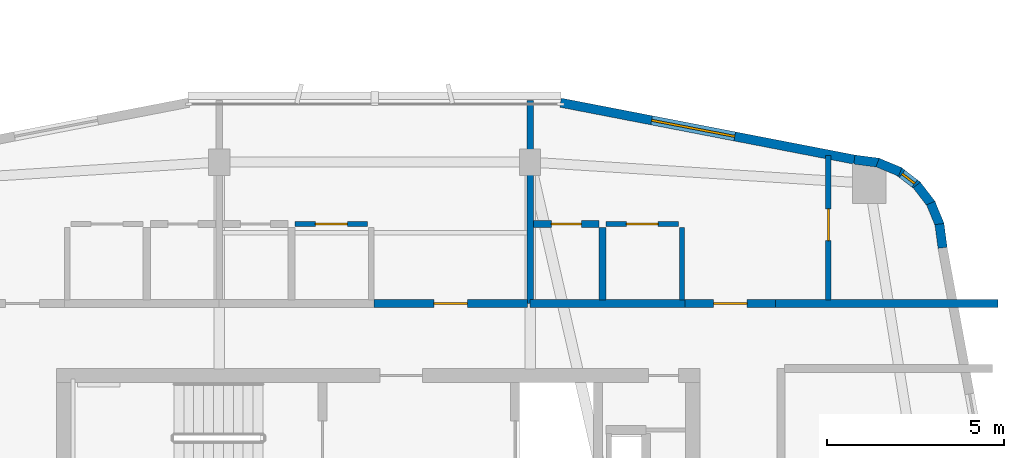
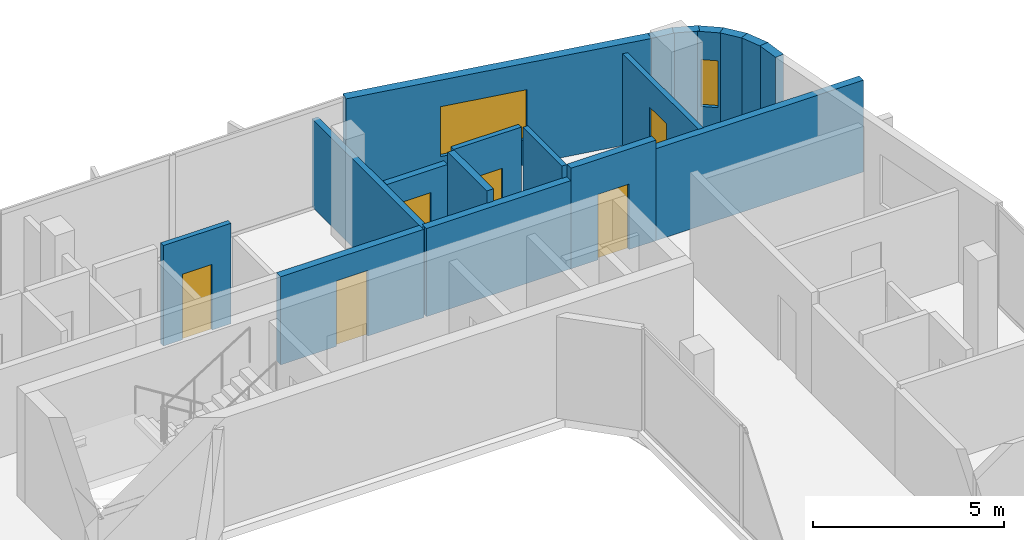
# One storey, part 20 of 26: 18 walls, 6 doors, 2 windows, 8 openings.
"""IFC4 building model written with IfcOpenShell, lengths in metres."""

from ifc_helpers import new_model, si_unit, derived_unit, direction, frame, frame_2d, origin, place, context, subcontext, project, spatial, rectangle, extrude, material, layer, layer_set, type_object, element, fill, save


model = new_model("IFC4")

# Units and contexts
model_context = context("Model", 3, precision=1e-05, world=origin(), true_north=direction((0.0, 1.0)))
body_context = subcontext(model_context, "Body", "Model", "MODEL_VIEW")
ifc_project = project(units=[si_unit("LENGTHUNIT", "METRE"), si_unit("AREAUNIT", "SQUARE_METRE"), si_unit("VOLUMEUNIT", "CUBIC_METRE"), si_unit("PLANEANGLEUNIT", "RADIAN"), si_unit("MASSUNIT", "GRAM", prefix="KILO"), derived_unit("THERMALTRANSMITTANCEUNIT", [(si_unit("POWERUNIT", "WATT"), 1), (si_unit("LENGTHUNIT", "METRE"), -2), (si_unit("THERMODYNAMICTEMPERATUREUNIT", "KELVIN"), -1)])], contexts=[model_context])

# Site, building, storey
site_placement = place(None, origin())
site = spatial("IfcSite", under=ifc_project, at=site_placement, CompositionType="ELEMENT")
building_placement = place(site_placement, origin())
building = spatial("IfcBuilding", under=site, at=building_placement, Name="Kivonza Crest Hotel", CompositionType="ELEMENT")
storey_placement = place(building_placement, frame((0.0, 0.0, 102.0)))
storey = spatial("IfcBuildingStorey", under=building, at=storey_placement, Name="L27", CompositionType="ELEMENT", Elevation=102.0)

# Wall
ifc_material_1 = material(Name="High-density acoustic masonry inter-tenancy wall", Category="masonry")
ifc_layer_1 = layer(ifc_material_1, 0.179931640625)
ifc_layer_set_1 = layer_set([ifc_layer_1], Name="High-density acoustic masonry inter-tenancy wall")
wall_type_1 = type_object("IfcWallType", Name="WL-ACOU-180", PredefinedType="SOLIDWALL", material=ifc_layer_set_1)
wall_1_placement = place(storey_placement, frame((81.39990234375, 37.60009765625, 0.0), z_axis=(0.0, 0.0, 1.0), x_axis=(0.0, 1.0, 0.0)))
element("IfcWall", 1, at=wall_1_placement, inside=storey, type_object=wall_type_1, Name="L27 interior partition WA-L27-T2N-DIV2", PredefinedType="SOLIDWALL", context=body_context, shape_type="SweptSolid", body=[
    extrude(rectangle(XDim=5.739990234375, YDim=0.179931640625, at=frame_2d((2.8701171875, 0.0))), origin(), (0.0, 0.0, 1.0), 2.824951171875),
])

# Wall, opening, door
ifc_material_2 = material(Name="Autoclaved aerated concrete blockwork", Category="masonry")
ifc_layer_2 = layer(ifc_material_2, 0.219970703125)
ifc_layer_set_2 = layer_set([ifc_layer_2], Name="Autoclaved aerated concrete blockwork")
wall_type_2 = type_object("IfcWallType", Name="WL-ACOU-220", PredefinedType="SOLIDWALL", material=ifc_layer_set_2)
wall_2_placement = place(storey_placement, frame((76.97998046875, 37.60009765625, 0.0), z_axis=(0.0, 0.0, 1.0), x_axis=(1.0, 0.0, 0.0)))
wall_2 = element("IfcWall", 2, at=wall_2_placement, inside=storey, type_object=wall_type_2, Name="L27 interior partition WA-L27-A02-MCORR", PredefinedType="SOLIDWALL", context=body_context, shape_type="SweptSolid", body=[
    extrude(rectangle(XDim=4.340087890625, YDim=0.219970703125, at=frame_2d((2.169921875, 0.0))), origin(), (0.0, 0.0, 1.0), 2.824951171875),
])
opening_1_placement = place(wall_2_placement, frame((1.695068359375, 0.0, 0.0)))
opening_1 = element("IfcOpeningElement", 3, at=opening_1_placement, cuts=wall_2, Name="Opening DU-60", PredefinedType="OPENING", context=body_context, shape_type="SweptSolid", body=[
    extrude(rectangle(XDim=0.949951171875, YDim=2.10009765625, at=frame_2d((0.47509765625, 1.050048828125))), frame((0.0, 0.1201171875, 0.0), z_axis=(0.0, -1.0, 0.0), x_axis=(1.0, 0.0, 0.0)), (0.0, 0.0, 1.0), 0.239990234375),
])
ifc_material_3 = material(Name="Hardwood timber oak", Category="wood")
door_type_1 = type_object("IfcDoorType", Name="DR-UNIT-950", OperationType="NOTDEFINED", PredefinedType="DOOR", material=ifc_material_3)
door_1_placement = place(opening_1_placement, origin())
door_1 = element("IfcDoor", 4, at=door_1_placement, inside=storey, type_object=door_type_1, Name="L27 A02 apartment entrance fire door", OperationType="SINGLE_SWING_RIGHT", OverallHeight=2.10009765625, OverallWidth=0.949951171875, PredefinedType="DOOR", context=body_context, shape_type="SweptSolid", body=[
    extrude(rectangle(XDim=0.949951171875, YDim=2.10009765625, at=frame_2d((0.47509765625, 1.050048828125))), frame((0.0, 0.02490234375, 0.0), z_axis=(0.0, -1.0, 0.0), x_axis=(1.0, 0.0, 0.0)), (0.0, 0.0, 1.0), 0.050048828125),
])
fill(opening_1, door_1)

# Walls
wall_3_placement = place(storey_placement, frame((81.39990234375, 37.60009765625, 0.0), z_axis=(0.0, 0.0, 1.0), x_axis=(1.0, 0.0, 0.0)))
element("IfcWall", 5, at=wall_3_placement, inside=storey, type_object=wall_type_2, Name="L27 interior partition WA-L27-A03-LCORR", PredefinedType="SOLIDWALL", context=body_context, shape_type="SweptSolid", body=[
    extrude(rectangle(XDim=4.380126953125, YDim=0.219970703125, at=frame_2d((2.18994140625, 0.0))), origin(), (0.0, 0.0, 1.0), 2.824951171875),
])
wall_4_placement = place(storey_placement, frame((88.35009765625, 37.60009765625, 0.0), z_axis=(0.0, 0.0, 1.0), x_axis=(1.0, 0.0, 0.0)))
element("IfcWall", 6, at=wall_4_placement, inside=storey, type_object=wall_type_2, Name="L27 interior partition WA-L27-A03-RCORR", PredefinedType="SOLIDWALL", context=body_context, shape_type="SweptSolid", body=[
    extrude(rectangle(XDim=6.289794921875, YDim=0.219970703125, at=frame_2d((3.14501953125, 0.0))), origin(), (0.0, 0.0, 1.0), 2.945068359375),
])

# Wall, opening, door
wall_5_placement = place(storey_placement, frame((85.780029296875, 37.60009765625, 0.0), z_axis=(0.0, 0.0, 1.0), x_axis=(1.0, 0.0, 0.0)))
wall_5 = element("IfcWall", 7, at=wall_5_placement, inside=storey, type_object=wall_type_2, Name="L27 interior partition WA-L27-A03-MCORR", PredefinedType="SOLIDWALL", context=body_context, shape_type="SweptSolid", body=[
    extrude(rectangle(XDim=2.570068359375, YDim=0.219970703125, at=frame_2d((1.28515625, 0.0))), origin(), (0.0, 0.0, 1.0), 3.219970703125),
])
opening_2_placement = place(wall_5_placement, frame((0.81005859375, 0.0, 0.0)))
opening_2 = element("IfcOpeningElement", 8, at=opening_2_placement, cuts=wall_5, Name="Opening DU-60", PredefinedType="OPENING", context=body_context, shape_type="SweptSolid", body=[
    extrude(rectangle(XDim=0.949951171875, YDim=2.10009765625, at=frame_2d((0.47509765625, 1.050048828125))), frame((0.0, 0.1201171875, 0.0), z_axis=(0.0, -1.0, 0.0), x_axis=(1.0, 0.0, 0.0)), (0.0, 0.0, 1.0), 0.239990234375),
])
door_2_placement = place(opening_2_placement, origin())
door_2 = element("IfcDoor", 9, at=door_2_placement, inside=storey, type_object=door_type_1, Name="L27 A03 apartment entrance fire door", OperationType="SINGLE_SWING_LEFT", OverallHeight=2.10009765625, OverallWidth=0.949951171875, PredefinedType="DOOR", context=body_context, shape_type="SweptSolid", body=[
    extrude(rectangle(XDim=0.949951171875, YDim=2.10009765625, at=frame_2d((0.47509765625, 1.050048828125))), frame((0.0, 0.02490234375, 0.0), z_axis=(0.0, -1.0, 0.0), x_axis=(1.0, 0.0, 0.0)), (0.0, 0.0, 1.0), 0.050048828125),
])
fill(opening_2, door_2)

# Walls
ifc_material_4 = material(Name="Precast concrete C40/50", Category="concrete")
ifc_layer_3 = layer(ifc_material_4, 0.260009765625)
ifc_layer_set_3 = layer_set([ifc_layer_3], Name="Precast concrete C40/50")
wall_type_3 = type_object("IfcWallType", Name="WL-EXT-260", PredefinedType="STANDARD", material=ifc_layer_set_3)
wall_6_placement = place(storey_placement, frame((93.072021484375, 39.175048828125, 0.0), z_axis=(0.0, 0.0, 1.0), x_axis=(-0.131667498923, 0.991293937098, 0.0)))
element("IfcWall", 10, at=wall_6_placement, inside=storey, type_object=wall_type_3, Name="L27 T2 exterior insulated wall 19", PredefinedType="STANDARD", context=body_context, shape_type="SweptSolid", body=[
    extrude(rectangle(XDim=0.6767578125, YDim=0.260009765625, at=frame_2d((0.33837890625, 0.0))), origin(), (0.0, 0.0, 1.0), 3.25),
])
wall_7_placement = place(storey_placement, frame((93.0009765625, 39.800048828125, 0.0), z_axis=(0.0, 0.0, 1.0), x_axis=(-0.381988976935, 0.924166879681, 0.0)))
element("IfcWall", 11, at=wall_7_placement, inside=storey, type_object=wall_type_3, Name="L27 T2 exterior insulated wall 20", PredefinedType="STANDARD", context=body_context, shape_type="SweptSolid", body=[
    extrude(rectangle(XDim=0.693359375, YDim=0.260009765625, at=frame_2d((0.3466796875, 0.0))), origin(), (0.0, 0.0, 1.0), 3.25),
])
wall_8_placement = place(storey_placement, frame((92.763916015625, 40.40087890625, 0.0), z_axis=(0.0, 0.0, 1.0), x_axis=(-0.609472651958, 0.792807092876, 0.0)))
element("IfcWall", 12, at=wall_8_placement, inside=storey, type_object=wall_type_3, Name="L27 T2 exterior insulated wall 21", PredefinedType="STANDARD", context=body_context, shape_type="SweptSolid", body=[
    extrude(rectangle(XDim=0.69384765625, YDim=0.260009765625, at=frame_2d((0.346923828125, 0.0))), origin(), (0.0, 0.0, 1.0), 3.25),
])

# Wall, opening, window
wall_9_placement = place(storey_placement, frame((92.37890625, 40.919921875, 0.0), z_axis=(0.0, 0.0, 1.0), x_axis=(-0.792506234191, 0.609863811657, 0.0)))
wall_9 = element("IfcWall", 13, at=wall_9_placement, inside=storey, type_object=wall_type_3, Name="L27 T2 exterior insulated wall 22", PredefinedType="STANDARD", context=body_context, shape_type="SweptSolid", body=[
    extrude(rectangle(XDim=0.69384765625, YDim=0.260009765625, at=frame_2d((0.346923828125, 0.0))), origin(), (0.0, 0.0, 1.0), 3.25),
])
opening_3_placement = place(wall_9_placement, frame((0.1220703125, 0.0, 0.85009765625)))
opening_3 = element("IfcOpeningElement", 14, at=opening_3_placement, cuts=wall_9, Name="Opening WN-11", PredefinedType="OPENING", context=body_context, shape_type="SweptSolid", body=[
    extrude(rectangle(XDim=0.449951171875, YDim=1.5, at=frame_2d((0.22509765625, 0.75))), frame((0.0, 0.14013671875, 0.0), z_axis=(0.0, -1.0, 0.0), x_axis=(1.0, 0.0, 0.0)), (0.0, 0.0, 1.0), 0.280029296875),
])
ifc_material_5 = material(Name="Thermally broken bronze aluminium and low-E double glazing", Category="aluminium")
window_type_1 = type_object("IfcWindowType", Name="WN-045x150", PartitioningType="SINGLE_PANEL", PredefinedType="WINDOW", material=ifc_material_5)
window_1_placement = place(opening_3_placement, origin())
window_1 = element("IfcWindow", 15, at=window_1_placement, inside=storey, type_object=window_type_1, Name="L27 corner vision window 4", OverallHeight=1.5, OverallWidth=0.449951171875, PartitioningType="SINGLE_PANEL", PredefinedType="WINDOW", context=body_context, shape_type="SweptSolid", body=[
    extrude(rectangle(XDim=0.449951171875, YDim=1.5, at=frame_2d((0.22509765625, 0.75))), frame((0.0, 0.030029296875, 0.0), z_axis=(0.0, -1.0, 0.0), x_axis=(1.0, 0.0, 0.0)), (0.0, 0.0, 1.0), 0.06005859375),
])
fill(opening_3, window_1)

# Walls
wall_10_placement = place(storey_placement, frame((91.873046875, 41.322021484375, 0.0), z_axis=(0.0, 0.0, 1.0), x_axis=(-0.92421822618, 0.381864727877, 0.0)))
element("IfcWall", 16, at=wall_10_placement, inside=storey, type_object=wall_type_3, Name="L27 T2 exterior insulated wall 23", PredefinedType="STANDARD", context=body_context, shape_type="SweptSolid", body=[
    extrude(rectangle(XDim=0.693603515625, YDim=0.260009765625, at=frame_2d((0.3466796875, 0.0))), origin(), (0.0, 0.0, 1.0), 3.25),
])
wall_11_placement = place(storey_placement, frame((91.281005859375, 41.5791015625, 0.0), z_axis=(0.0, 0.0, 1.0), x_axis=(-0.991433279471, 0.130614135366, 0.0)))
element("IfcWall", 17, at=wall_11_placement, inside=storey, type_object=wall_type_3, Name="L27 T2 exterior insulated wall 24", PredefinedType="STANDARD", context=body_context, shape_type="SweptSolid", body=[
    extrude(rectangle(XDim=0.712158203125, YDim=0.260009765625, at=frame_2d((0.35595703125, 0.0))), origin(), (0.0, 0.0, 1.0), 3.25),
])

# Wall, opening, window
wall_12_placement = place(storey_placement, frame((90.5830078125, 41.669921875, 0.0), z_axis=(0.0, 0.0, 1.0), x_axis=(-0.981750199588, 0.190175039396, 0.0)))
wall_12 = element("IfcWall", 18, at=wall_12_placement, inside=storey, type_object=wall_type_3, Name="L27 T2 exterior insulated wall 25", PredefinedType="STANDARD", context=body_context, shape_type="SweptSolid", body=[
    extrude(rectangle(XDim=8.476806640625, YDim=0.260009765625, at=frame_2d((4.23828125, 0.0))), origin(), (0.0, 0.0, 1.0), 3.25),
])
opening_4_placement = place(wall_12_placement, frame((3.4541015625, 0.0, 0.800048828125)))
opening_4 = element("IfcOpeningElement", 19, at=opening_4_placement, cuts=wall_12, Name="Opening WN-05", PredefinedType="OPENING", context=body_context, shape_type="SweptSolid", body=[
    extrude(rectangle(XDim=2.39990234375, YDim=1.60009765625, at=frame_2d((1.199951171875, 0.800048828125))), frame((0.0, 0.14013671875, 0.0), z_axis=(0.0, -1.0, 0.0), x_axis=(1.0, 0.0, 0.0)), (0.0, 0.0, 1.0), 0.280029296875),
])
window_type_2 = type_object("IfcWindowType", Name="WN-240x160", PartitioningType="TRIPLE_PANEL_VERTICAL", PredefinedType="WINDOW", material=ifc_material_5)
window_2_placement = place(opening_4_placement, origin())
window_2 = element("IfcWindow", 20, at=window_2_placement, inside=storey, type_object=window_type_2, Name="L27 T2 facade window 25", OverallHeight=1.60009765625, OverallWidth=2.39990234375, PartitioningType="SINGLE_PANEL", PredefinedType="WINDOW", context=body_context, shape_type="SweptSolid", body=[
    extrude(rectangle(XDim=2.39990234375, YDim=1.60009765625, at=frame_2d((1.199951171875, 0.800048828125))), frame((0.0, 0.030029296875, 0.0), z_axis=(0.0, -1.0, 0.0), x_axis=(1.0, 0.0, 0.0)), (0.0, 0.0, 1.0), 0.06005859375),
])
fill(opening_4, window_2)

# Wall, opening, door
ifc_material_6 = material(Name="Twin-stud acoustic gypsum board partition", Category="gypsum")
ifc_layer_4 = layer(ifc_material_6, 0.14990234375)
ifc_layer_set_4 = layer_set([ifc_layer_4], Name="Twin-stud acoustic gypsum board partition")
wall_type_4 = type_object("IfcWallType", Name="WL-PART-150", PredefinedType="PARTITIONING", material=ifc_layer_set_4)
wall_13_placement = place(storey_placement, frame((74.75, 39.85009765625, 0.0), z_axis=(0.0, 0.0, 1.0), x_axis=(1.0, 0.0, 0.0)))
wall_13 = element("IfcWall", 21, at=wall_13_placement, inside=storey, type_object=wall_type_4, Name="L27 interior partition WP-L27-A02-KSVC", PredefinedType="PARTITIONING", context=body_context, shape_type="SweptSolid", body=[
    extrude(rectangle(XDim=2.050048828125, YDim=0.14990234375, at=frame_2d((1.02490234375, 0.0))), origin(), (0.0, 0.0, 1.0), 3.219970703125),
])
opening_5_placement = place(wall_13_placement, frame((0.574951171875, 0.0, 0.0)))
opening_5 = element("IfcOpeningElement", 22, at=opening_5_placement, cuts=wall_13, Name="Opening DI-90", PredefinedType="OPENING", context=body_context, shape_type="SweptSolid", body=[
    extrude(rectangle(XDim=0.89990234375, YDim=2.10009765625, at=frame_2d((0.449951171875, 1.050048828125))), frame((0.0, 0.0849609375, 0.0), z_axis=(0.0, -1.0, 0.0), x_axis=(1.0, 0.0, 0.0)), (0.0, 0.0, 1.0), 0.169921875),
])
door_type_2 = type_object("IfcDoorType", Name="DR-INT-900", OperationType="NOTDEFINED", PredefinedType="DOOR", material=ifc_material_3)
door_3_placement = place(opening_5_placement, origin())
door_3 = element("IfcDoor", 23, at=door_3_placement, inside=storey, type_object=door_type_2, Name="L27 A02 apartment kitchen door", OperationType="SINGLE_SWING_RIGHT", OverallHeight=2.10009765625, OverallWidth=0.89990234375, PredefinedType="DOOR", context=body_context, shape_type="SweptSolid", body=[
    extrude(rectangle(XDim=0.89990234375, YDim=2.10009765625, at=frame_2d((0.449951171875, 1.050048828125))), frame((0.0, 0.02490234375, 0.0), z_axis=(0.0, -1.0, 0.0), x_axis=(1.0, 0.0, 0.0)), (0.0, 0.0, 1.0), 0.050048828125),
])
fill(opening_5, door_3)

wall_14_placement = place(storey_placement, frame((89.840087890625, 37.699951171875, 0.0), z_axis=(0.0, 0.0, 1.0), x_axis=(0.0, 1.0, 0.0)))
wall_14 = element("IfcWall", 24, at=wall_14_placement, inside=storey, type_object=wall_type_4, Name="L27 interior partition WP-L27-A03-BDW1", PredefinedType="PARTITIONING", context=body_context, shape_type="SweptSolid", body=[
    extrude(rectangle(XDim=4.0859375, YDim=0.14990234375, at=frame_2d((2.04296875, 0.0))), origin(), (0.0, 0.0, 1.0), 2.945068359375),
])
opening_6_placement = place(wall_14_placement, frame((1.679931640625, 0.0, 0.0)))
opening_6 = element("IfcOpeningElement", 25, at=opening_6_placement, cuts=wall_14, Name="Opening DI-90", PredefinedType="OPENING", context=body_context, shape_type="SweptSolid", body=[
    extrude(rectangle(XDim=0.89990234375, YDim=2.10009765625, at=frame_2d((0.449951171875, 1.050048828125))), frame((0.0, 0.0849609375, 0.0), z_axis=(0.0, -1.0, 0.0), x_axis=(1.0, 0.0, 0.0)), (0.0, 0.0, 1.0), 0.169921875),
])
door_4_placement = place(opening_6_placement, origin())
door_4 = element("IfcDoor", 26, at=door_4_placement, inside=storey, type_object=door_type_2, Name="L27 A03 bedroom 1 door", OperationType="SINGLE_SWING_RIGHT", OverallHeight=2.10009765625, OverallWidth=0.89990234375, PredefinedType="DOOR", context=body_context, shape_type="SweptSolid", body=[
    extrude(rectangle(XDim=0.89990234375, YDim=2.10009765625, at=frame_2d((0.449951171875, 1.050048828125))), frame((0.0, 0.02490234375, 0.0), z_axis=(0.0, -1.0, 0.0), x_axis=(1.0, 0.0, 0.0)), (0.0, 0.0, 1.0), 0.050048828125),
])
fill(opening_6, door_4)

# Wall
wall_15_placement = place(storey_placement, frame((85.699951171875, 37.699951171875, 0.0), z_axis=(0.0, 0.0, 1.0), x_axis=(0.0, 1.0, 0.0)))
element("IfcWall", 27, at=wall_15_placement, inside=storey, type_object=wall_type_4, Name="L27 interior partition WP-L27-A03-KF", PredefinedType="PARTITIONING", context=body_context, shape_type="SweptSolid", body=[
    extrude(rectangle(XDim=2.050048828125, YDim=0.14990234375, at=frame_2d((1.02490234375, 0.0))), origin(), (0.0, 0.0, 1.0), 3.219970703125),
])

# Wall, opening, door
wall_16_placement = place(storey_placement, frame((83.550048828125, 39.85009765625, 0.0), z_axis=(0.0, 0.0, 1.0), x_axis=(1.0, 0.0, 0.0)))
wall_16 = element("IfcWall", 28, at=wall_16_placement, inside=storey, type_object=wall_type_4, Name="L27 interior partition WP-L27-A03-KSVC", PredefinedType="PARTITIONING", context=body_context, shape_type="SweptSolid", body=[
    extrude(rectangle(XDim=2.050048828125, YDim=0.14990234375, at=frame_2d((1.02490234375, 0.0))), origin(), (0.0, 0.0, 1.0), 3.219970703125),
])
opening_7_placement = place(wall_16_placement, frame((0.574951171875, 0.0, 0.0)))
opening_7 = element("IfcOpeningElement", 29, at=opening_7_placement, cuts=wall_16, Name="Opening DI-90", PredefinedType="OPENING", context=body_context, shape_type="SweptSolid", body=[
    extrude(rectangle(XDim=0.89990234375, YDim=2.10009765625, at=frame_2d((0.449951171875, 1.050048828125))), frame((0.0, 0.0849609375, 0.0), z_axis=(0.0, -1.0, 0.0), x_axis=(1.0, 0.0, 0.0)), (0.0, 0.0, 1.0), 0.169921875),
])
door_5_placement = place(opening_7_placement, origin())
door_5 = element("IfcDoor", 30, at=door_5_placement, inside=storey, type_object=door_type_2, Name="L27 A03 apartment kitchen door", OperationType="SINGLE_SWING_LEFT", OverallHeight=2.10009765625, OverallWidth=0.89990234375, PredefinedType="DOOR", context=body_context, shape_type="SweptSolid", body=[
    extrude(rectangle(XDim=0.89990234375, YDim=2.10009765625, at=frame_2d((0.449951171875, 1.050048828125))), frame((0.0, 0.02490234375, 0.0), z_axis=(0.0, -1.0, 0.0), x_axis=(1.0, 0.0, 0.0)), (0.0, 0.0, 1.0), 0.050048828125),
])
fill(opening_7, door_5)

# Wall
ifc_material_7 = material(Name="Moisture-resistant plumbing chase partition wall", Category="gypsum")
ifc_layer_5 = layer(ifc_material_7, 0.199951171875)
ifc_layer_set_5 = layer_set([ifc_layer_5], Name="Moisture-resistant plumbing chase partition wall")
wall_type_5 = type_object("IfcWallType", Name="WL-PLUMB-200", PredefinedType="PLUMBINGWALL", material=ifc_layer_set_5)
wall_17_placement = place(storey_placement, frame((83.449951171875, 37.699951171875, 0.0), z_axis=(0.0, 0.0, 1.0), x_axis=(0.0, 1.0, 0.0)))
element("IfcWall", 31, at=wall_17_placement, inside=storey, type_object=wall_type_5, Name="L27 interior partition WW-L27-A03-BK", PredefinedType="PLUMBINGWALL", context=body_context, shape_type="SweptSolid", body=[
    extrude(rectangle(XDim=2.050048828125, YDim=0.199951171875, at=frame_2d((1.02490234375, 0.0))), origin(), (0.0, 0.0, 1.0), 3.219970703125),
])

# Wall, opening, door
wall_18_placement = place(storey_placement, frame((81.5, 39.85009765625, 0.0), z_axis=(0.0, 0.0, 1.0), x_axis=(1.0, 0.0, 0.0)))
wall_18 = element("IfcWall", 32, at=wall_18_placement, inside=storey, type_object=wall_type_5, Name="L27 interior partition WW-L27-A03-BSVC", PredefinedType="PLUMBINGWALL", context=body_context, shape_type="SweptSolid", body=[
    extrude(rectangle(XDim=1.85009765625, YDim=0.199951171875, at=frame_2d((0.925048828125, 0.0))), origin(), (0.0, 0.0, 1.0), 2.824951171875),
])
opening_8_placement = place(wall_18_placement, frame((0.5, 0.0, 0.0)))
opening_8 = element("IfcOpeningElement", 33, at=opening_8_placement, cuts=wall_18, Name="Opening DI-85", PredefinedType="OPENING", context=body_context, shape_type="SweptSolid", body=[
    extrude(rectangle(XDim=0.85009765625, YDim=2.10009765625, at=frame_2d((0.425048828125, 1.050048828125))), frame((0.0, 0.10986328125, 0.0), z_axis=(0.0, -1.0, 0.0), x_axis=(1.0, 0.0, 0.0)), (0.0, 0.0, 1.0), 0.219970703125),
])
door_type_3 = type_object("IfcDoorType", Name="DR-INT-850", OperationType="NOTDEFINED", PredefinedType="DOOR", material=ifc_material_3)
door_6_placement = place(opening_8_placement, origin())
door_6 = element("IfcDoor", 34, at=door_6_placement, inside=storey, type_object=door_type_3, Name="L27 A03 apartment bathroom door", OperationType="SINGLE_SWING_RIGHT", OverallHeight=2.10009765625, OverallWidth=0.85009765625, PredefinedType="DOOR", context=body_context, shape_type="SweptSolid", body=[
    extrude(rectangle(XDim=0.85009765625, YDim=2.10009765625, at=frame_2d((0.425048828125, 1.050048828125))), frame((0.0, 0.02490234375, 0.0), z_axis=(0.0, -1.0, 0.0), x_axis=(1.0, 0.0, 0.0)), (0.0, 0.0, 1.0), 0.050048828125),
])
fill(opening_8, door_6)

save(model, "model.ifc")
